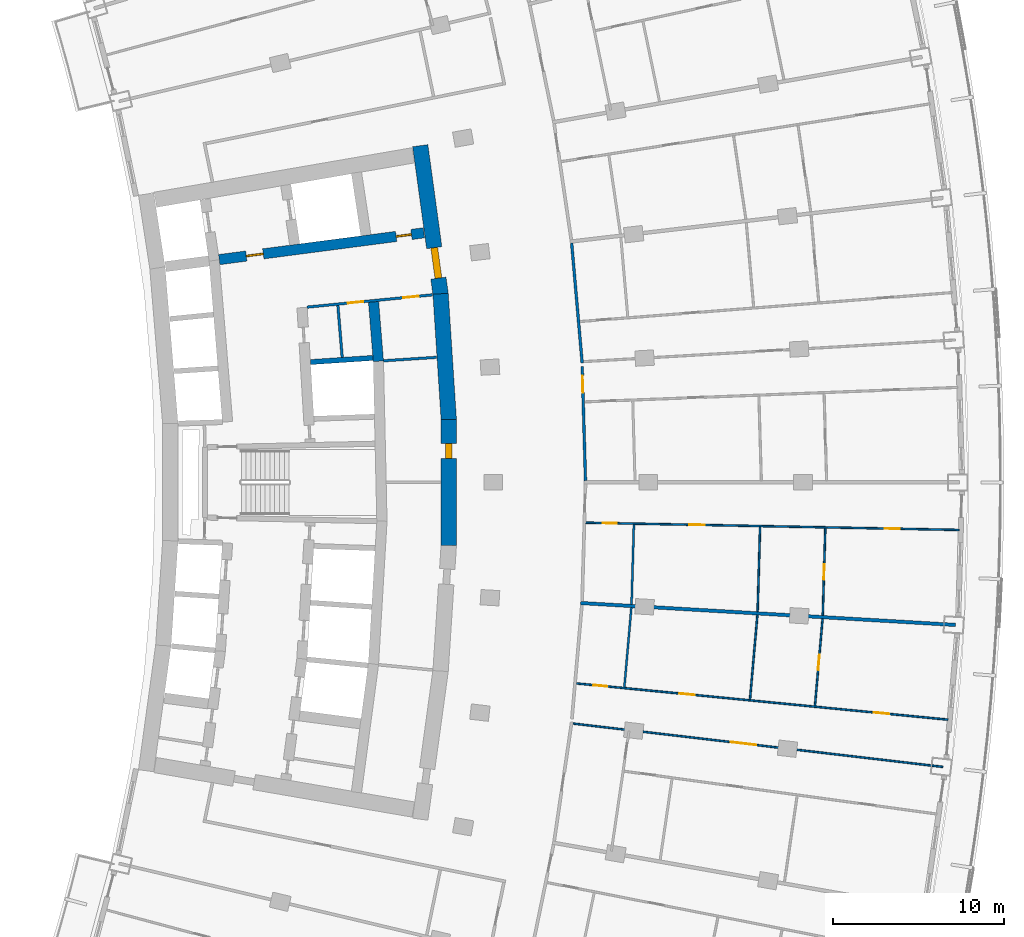
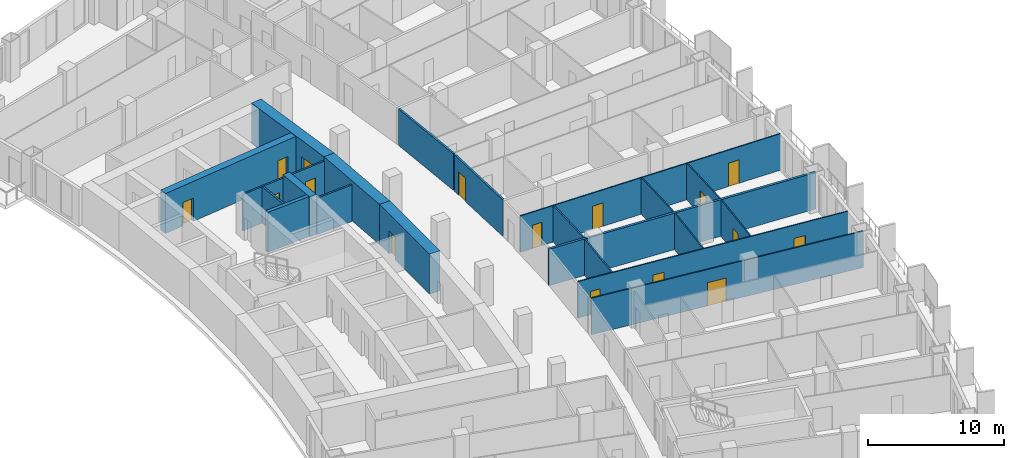
# One storey, part 17 of 25: 21 walls, 16 doors, 16 openings.
"""IFC4 building model written with IfcOpenShell, lengths in metres."""

import ifcopenshell
import ifcopenshell.guid

model = None  # the IFC model being written
_history = None  # IfcOwnerHistory: only IFC2X3 demands one
_inside = {}  # id of a spatial element -> (the spatial element, [elements in it])
_under = {}  # id of a project, library or spatial element -> (it, [spatial elements below it])
_declared = {}  # id of a project -> (the project, [libraries it declares])
_typed = {}  # id of a type object -> (the type object, [elements of that type])
_made_of = {}  # id of a material, layer set ... -> (it, [elements and type objects made of it])


def new_model(schema):
    """Start an empty IFC model of exactly this schema.

    Asked for "IFC4X3", IfcOpenShell would pick the latest addendum, in which some entities
    have other attributes; the version numbers below select the first issue.
    IFC2X3 requires an IfcOwnerHistory on every rooted entity: one is made here for all.
    """
    global model, _history
    if schema == "IFC4X3":
        model = ifcopenshell.file(schema_version=(4, 3, 0, 0))
    else:
        model = ifcopenshell.file(schema=schema)
    _inside.clear()
    _under.clear()
    _declared.clear()
    _typed.clear()
    _made_of.clear()
    _history = None
    if model.schema == "IFC2X3":
        org = make("IfcOrganization", Name="unknown")
        user = make(
            "IfcPersonAndOrganization",
            ThePerson=make("IfcPerson", FamilyName="unknown"),
            TheOrganization=org,
        )
        app = make(
            "IfcApplication",
            ApplicationDeveloper=org,
            Version="unknown",
            ApplicationFullName="unknown",
            ApplicationIdentifier="unknown",
        )
        _history = make(
            "IfcOwnerHistory",
            OwningUser=user,
            OwningApplication=app,
            ChangeAction="ADDED",
            CreationDate=0,
        )
    return model


def make(cls, **values):
    """One entity of the class cls with the attributes given. An attribute that is None is left unset."""
    return model.create_entity(
        cls, **{name: value for name, value in values.items() if value is not None}
    )


def rooted(cls, **values):
    """An entity with a GlobalId (a new one), such as an element, a storey or a relation."""
    return make(cls, GlobalId=ifcopenshell.guid.new(), OwnerHistory=_history, **values)


def si_unit(unit_type, name, prefix=None):
    """IfcSIUnit, for example si_unit("LENGTHUNIT", "METRE", prefix="MILLI")."""
    return make("IfcSIUnit", UnitType=unit_type, Prefix=prefix, Name=name)


def assignment(units):
    """IfcUnitAssignment: the units of a project."""
    return None if units is None else make("IfcUnitAssignment", Units=units)


def point(xyz):
    """IfcCartesianPoint."""
    return None if xyz is None else make("IfcCartesianPoint", Coordinates=xyz)


def direction(xyz):
    """IfcDirection."""
    return None if xyz is None else make("IfcDirection", DirectionRatios=xyz)


def frame(location, z_axis=None, x_axis=None):
    """IfcAxis2Placement3D, a coordinate frame: its origin and axes. An axis left out is left unset."""
    return make(
        "IfcAxis2Placement3D",
        Location=point(location),
        Axis=direction(z_axis),
        RefDirection=direction(x_axis),
    )


def frame_2d(location, x_axis=None):
    """IfcAxis2Placement2D, a coordinate frame in the plane: its origin and x axis."""
    return make(
        "IfcAxis2Placement2D", Location=point(location), RefDirection=direction(x_axis)
    )


def origin():
    """The frame at (0, 0, 0) with its axes left unset."""
    return frame((0.0, 0.0, 0.0))


def place(relative_to, where):
    """IfcLocalPlacement: puts the frame where relative to a parent placement (None: the world)."""
    return make(
        "IfcLocalPlacement", PlacementRelTo=relative_to, RelativePlacement=where
    )


def context(
    kind, dimensions, precision=None, world=None, true_north=None, identifier=None
):
    """IfcGeometricRepresentationContext, for example the 3D "Model" context."""
    return make(
        "IfcGeometricRepresentationContext",
        ContextIdentifier=identifier,
        ContextType=kind,
        CoordinateSpaceDimension=dimensions,
        Precision=precision,
        WorldCoordinateSystem=world,
        TrueNorth=true_north,
    )


def subcontext(parent, identifier, kind, view, scale=None):
    """IfcGeometricRepresentationSubContext, for example "Body" below "Model"."""
    return make(
        "IfcGeometricRepresentationSubContext",
        ContextIdentifier=identifier,
        ContextType=kind,
        ParentContext=parent,
        TargetScale=scale,
        TargetView=view,
    )


def project(units=None, contexts=None):
    """IfcProject with its units and contexts."""
    return rooted(
        "IfcProject",
        Name="project",
        RepresentationContexts=contexts,
        UnitsInContext=assignment(units),
    )


def spatial(cls, under=None, at=None, **own):
    """A site, building, storey or space (cls), placed at a placement, below another one or the project."""
    s = rooted(cls, ObjectPlacement=at, **own)
    if under is not None:
        _under.setdefault(under.id(), (under, []))[1].append(s)
    return s


def profile(cls, at=None, kind="AREA", **sizes):
    """A parametric profile (cls). Its sizes go by their IFC names, for example OverallWidth=200.0."""
    return make(cls, ProfileType=kind, Position=at, **sizes)


def rectangle(**sizes):
    """IfcRectangleProfileDef."""
    return profile("IfcRectangleProfileDef", **sizes)


def extrude(swept, where, along, depth):
    """IfcExtrudedAreaSolid: the profile swept, set in the frame where, extruded along a direction by depth."""
    return make(
        "IfcExtrudedAreaSolid",
        SweptArea=swept,
        Position=where,
        ExtrudedDirection=direction(along),
        Depth=depth,
    )


def shape(context_of_items, identifier, shape_type, items):
    """IfcShapeRepresentation: the items that make up one representation, for example the "Body"."""
    return make(
        "IfcShapeRepresentation",
        ContextOfItems=context_of_items,
        RepresentationIdentifier=identifier,
        RepresentationType=shape_type,
        Items=items,
    )


def material(Name=None, Category=None):
    """IfcMaterial."""
    return make("IfcMaterial", Name=Name, Category=Category)


def layer(
    of_material, thickness, ventilated=None, Name=None, Category=None, Priority=None
):
    """IfcMaterialLayer: one layer of a wall or slab, of a material (None: an air gap)."""
    return make(
        "IfcMaterialLayer",
        Material=of_material,
        LayerThickness=thickness,
        IsVentilated=ventilated,
        Name=Name,
        Category=Category,
        Priority=Priority,
    )


def layer_set(layers, Name=None):
    """IfcMaterialLayerSet."""
    return make("IfcMaterialLayerSet", MaterialLayers=layers, LayerSetName=Name)


def made_of(thing, what):
    """Note that an element or type object is made of a material, layer set ...; save() writes the relation."""
    if what is not None:
        _made_of.setdefault(what.id(), (what, []))[1].append(thing)
    return thing


def type_object(cls, material=None, **own):
    """A type object (cls), such as IfcWallType, which elements share."""
    return made_of(rooted(cls, **own), material)


def element(
    cls,
    number,
    at=None,
    inside=None,
    cuts=None,
    type_object=None,
    material=None,
    context=None,
    identifier="Body",
    shape_type=None,
    held_by="IfcProductDefinitionShape",
    body=None,
    shapes=None,
    **own,
):
    """One element of the class cls, such as IfcWall. Its Tag is "e" and its number.

    at: its placement. inside: the storey or other place that contains it. cuts: it is an
    opening in that element (IfcRelVoidsElement). A single representation is given by context,
    identifier, shape_type and body (its items); several are given by shapes. held_by: the class
    of the entity that holds the representations. save() writes the other relations.
    """
    e = rooted(cls, Tag="e%d" % number, ObjectPlacement=at, **own)
    if body is not None:
        shapes = [shape(context, identifier, shape_type, body)]
    if shapes is not None:
        e.Representation = make(held_by, Representations=shapes)
    if inside is not None:
        _inside.setdefault(inside.id(), (inside, []))[1].append(e)
    if cuts is not None:
        rooted(
            "IfcRelVoidsElement", RelatingBuildingElement=cuts, RelatedOpeningElement=e
        )
    if type_object is not None:
        _typed.setdefault(type_object.id(), (type_object, []))[1].append(e)
    return made_of(e, material)


def fill(opening, filler):
    """IfcRelFillsElement: the door or window that sits in an opening."""
    return rooted(
        "IfcRelFillsElement",
        RelatingOpeningElement=opening,
        RelatedBuildingElement=filler,
    )


def aggregate(whole, parts):
    """IfcRelAggregates: a whole, such as a stair, and the parts it consists of."""
    return rooted("IfcRelAggregates", RelatingObject=whole, RelatedObjects=parts)


def save(model, path):
    """Write the relations noted so far, then the file.

    IfcRelAggregates (storeys below a building ...), IfcRelContainedInSpatialStructure (elements
    in a storey), IfcRelDefinesByType, IfcRelAssociatesMaterial and IfcRelDeclares: one each for
    every whole, place, type object, material and project.
    """
    for whole, parts in _under.values():
        aggregate(whole, parts)
    for where, things in _inside.values():
        rooted(
            "IfcRelContainedInSpatialStructure",
            RelatedElements=things,
            RelatingStructure=where,
        )
    for kind, things in _typed.values():
        rooted("IfcRelDefinesByType", RelatedObjects=things, RelatingType=kind)
    for what, things in _made_of.values():
        rooted("IfcRelAssociatesMaterial", RelatedObjects=things, RelatingMaterial=what)
    for by, libraries in _declared.values():
        rooted("IfcRelDeclares", RelatingContext=by, RelatedDefinitions=libraries)
    model.write(path)


model = new_model("IFC4")

# Units and contexts
model_context = context("Model", 3, precision=1e-05, world=origin(), true_north=direction((0.0, 1.0)))
body_context = subcontext(model_context, "Body", "Model", "MODEL_VIEW")
ifc_project = project(units=[si_unit("LENGTHUNIT", "METRE"), si_unit("AREAUNIT", "SQUARE_METRE"), si_unit("VOLUMEUNIT", "CUBIC_METRE"), si_unit("PLANEANGLEUNIT", "RADIAN"), si_unit("MASSUNIT", "GRAM", prefix="KILO")], contexts=[model_context])

# Site, building, storey
site_placement = place(None, origin())
site = spatial("IfcSite", under=ifc_project, at=site_placement, CompositionType="ELEMENT")
building_placement = place(site_placement, origin())
building = spatial("IfcBuilding", under=site, at=building_placement, Name="Alderwake Tower", CompositionType="ELEMENT")
storey_placement = place(building_placement, frame((0.0, 0.0, 46.39990234375)))
storey = spatial("IfcBuildingStorey", under=building, at=storey_placement, Name="L10", CompositionType="ELEMENT", Elevation=46.39990234375)

# Walls
ifc_material_1 = material(Name="Gypsum shaft wall system, rated")
ifc_layer_1 = layer(ifc_material_1, 0.14990234375)
ifc_layer_set_1 = layer_set([ifc_layer_1], Name="Core room partition 150")
wall_type_1 = type_object("IfcWallType", Name="Core room partition 150", PredefinedType="PARTITIONING", material=ifc_layer_set_1)
wall_1_placement = place(storey_placement, frame((26.94970703125, 68.3203125, 0.0), z_axis=(0.0, 0.0, 1.0), x_axis=(-0.082463525817, 0.996594083321, 0.0)))
element("IfcWall", 1, at=wall_1_placement, inside=storey, type_object=wall_type_1, Name="CW/L10/PA+107_+70", PredefinedType="PARTITIONING", context=body_context, shape_type="SweptSolid", body=[
    extrude(rectangle(XDim=3.055419921875, YDim=0.14990234375, at=frame_2d((1.52783203125, 0.0))), origin(), (0.0, 0.0, 1.0), 3.280029296875),
])
wall_2_placement = place(storey_placement, frame((29.36865234375, 68.1220703125, 0.0), z_axis=(0.0, 0.0, 1.0), x_axis=(0.997885090452, 0.065002663433, 0.0)))
element("IfcWall", 2, at=wall_2_placement, inside=storey, type_object=wall_type_1, Name="CW/L10/PR+68_+128", PredefinedType="PARTITIONING", context=body_context, shape_type="SweptSolid", body=[
    extrude(rectangle(XDim=3.10986328125, YDim=0.14990234375, at=frame_2d((1.554931640625, 0.0))), origin(), (0.0, 0.0, 1.0), 3.280029296875),
])

# Wall, openings, doors
wall_3_placement = place(storey_placement, frame((32.233642578125, 71.982177734375, 0.0), z_axis=(0.0, 0.0, 1.0), x_axis=(-0.995245540971, -0.097397706226, 0.0)))
wall_3 = element("IfcWall", 3, at=wall_3_placement, inside=storey, type_object=wall_type_1, Name="CW/L10/PR+102_+86", PredefinedType="PARTITIONING", context=body_context, shape_type="SweptSolid", body=[
    extrude(rectangle(XDim=7.36962890625, YDim=0.14990234375, at=frame_2d((3.684814453125, 0.0))), origin(), (0.0, 0.0, 1.0), 3.280029296875),
])
opening_1_placement = place(wall_3_placement, frame((4.069580078125, 0.0, 0.0)))
opening_1 = element("IfcOpeningElement", 4, at=opening_1_placement, cuts=wall_3, Name="Opening C022", PredefinedType="OPENING", context=body_context, shape_type="SweptSolid", body=[
    extrude(rectangle(XDim=0.89990234375, YDim=2.10009765625, at=frame_2d((0.449951171875, 1.050048828125))), frame((0.0, 0.0849609375, 0.0), z_axis=(0.0, -1.0, 0.0), x_axis=(1.0, 0.0, 0.0)), (0.0, 0.0, 1.0), 0.169921875),
])
opening_2_placement = place(wall_3_placement, frame((0.819580078125, 0.0, 0.0)))
opening_2 = element("IfcOpeningElement", 5, at=opening_2_placement, cuts=wall_3, Name="Opening C036", PredefinedType="OPENING", context=body_context, shape_type="SweptSolid", body=[
    extrude(rectangle(XDim=0.89990234375, YDim=2.10009765625, at=frame_2d((0.449951171875, 1.050048828125))), frame((0.0, 0.0849609375, 0.0), z_axis=(0.0, -1.0, 0.0), x_axis=(1.0, 0.0, 0.0)), (0.0, 0.0, 1.0), 0.169921875),
])
ifc_material_2 = material(Name="Painted steel leaf", Category="steel")
door_type_1 = type_object("IfcDoorType", Name="Core room door 900", OperationType="SINGLE_SWING_LEFT", PredefinedType="DOOR", material=ifc_material_2)
door_1_placement = place(opening_1_placement, origin())
door_1 = element("IfcDoor", 6, at=door_1_placement, inside=storey, type_object=door_type_1, Name="Room door", OperationType="SINGLE_SWING_RIGHT", OverallHeight=2.10009765625, OverallWidth=0.89990234375, PredefinedType="DOOR", context=body_context, shape_type="SweptSolid", body=[
    extrude(rectangle(XDim=0.89990234375, YDim=2.10009765625, at=frame_2d((0.449951171875, 1.050048828125))), frame((0.0, 0.02490234375, 0.0), z_axis=(0.0, -1.0, 0.0), x_axis=(1.0, 0.0, 0.0)), (0.0, 0.0, 1.0), 0.050048828125),
])
fill(opening_1, door_1)
door_2_placement = place(opening_2_placement, origin())
door_2 = element("IfcDoor", 7, at=door_2_placement, inside=storey, type_object=door_type_1, Name="Room door", OperationType="SINGLE_SWING_RIGHT", OverallHeight=2.10009765625, OverallWidth=0.89990234375, PredefinedType="DOOR", context=body_context, shape_type="SweptSolid", body=[
    extrude(rectangle(XDim=0.89990234375, YDim=2.10009765625, at=frame_2d((0.449951171875, 1.050048828125))), frame((0.0, 0.02490234375, 0.0), z_axis=(0.0, -1.0, 0.0), x_axis=(1.0, 0.0, 0.0)), (0.0, 0.0, 1.0), 0.050048828125),
])
fill(opening_2, door_2)

# Wall, opening, door
ifc_material_3 = material(Name="Concrete C70/85", Category="concrete")
ifc_layer_2 = layer(ifc_material_3, 0.89990234375)
ifc_layer_set_2 = layer_set([ifc_layer_2], Name="Core wall outer 900 C70-85")
wall_type_2 = type_object("IfcWallType", Name="Core wall outer 900 C70-85", PredefinedType="SHEAR", material=ifc_layer_set_2)
wall_4_placement = place(storey_placement, frame((33.190185546875, 64.69677734375, 0.0), z_axis=(0.0, 0.0, 1.0), x_axis=(0.0, -1.0, 0.0)))
wall_4 = element("IfcWall", 8, at=wall_4_placement, inside=storey, type_object=wall_type_2, Name="Core wall CW.013", PredefinedType="SHEAR", context=body_context, shape_type="SweptSolid", body=[
    extrude(rectangle(XDim=7.3935546875, YDim=0.89990234375, at=frame_2d((3.69677734375, 0.0))), origin(), (0.0, 0.0, 1.0), 3.60009765625),
])
opening_3_placement = place(wall_4_placement, frame((1.405517578125, 0.0, 0.0)))
opening_3 = element("IfcOpeningElement", 9, at=opening_3_placement, cuts=wall_4, Name="Opening C033", PredefinedType="OPENING", context=body_context, shape_type="SweptSolid", body=[
    extrude(rectangle(XDim=0.89990234375, YDim=2.10009765625, at=frame_2d((0.449951171875, 1.050048828125))), frame((0.0, 0.4599609375, 0.0), z_axis=(0.0, -1.0, 0.0), x_axis=(1.0, 0.0, 0.0)), (0.0, 0.0, 1.0), 0.919921875),
])
door_3_placement = place(opening_3_placement, origin())
door_3 = element("IfcDoor", 10, at=door_3_placement, inside=storey, type_object=door_type_1, Name="Room door", OperationType="SINGLE_SWING_LEFT", OverallHeight=2.10009765625, OverallWidth=0.89990234375, PredefinedType="DOOR", context=body_context, shape_type="SweptSolid", body=[
    extrude(rectangle(XDim=0.89990234375, YDim=2.10009765625, at=frame_2d((0.449951171875, 1.050048828125))), frame((0.0, 0.199951171875, 0.0), z_axis=(0.0, -1.0, 0.0), x_axis=(1.0, 0.0, 0.0)), (0.0, 0.0, 1.0), 0.39990234375),
])
fill(opening_3, door_3)

# Wall
wall_5_placement = place(storey_placement, frame((33.191162109375, 64.66650390625, 0.0), z_axis=(0.0, 0.0, 1.0), x_axis=(-0.064976219143, 0.997886812693, 0.0)))
element("IfcWall", 11, at=wall_5_placement, inside=storey, type_object=wall_type_2, Name="Core wall CW.010", PredefinedType="SHEAR", context=body_context, shape_type="SweptSolid", body=[
    extrude(rectangle(XDim=7.39453125, YDim=0.89990234375, at=frame_2d((3.697265625, 0.0))), origin(), (0.0, 0.0, 1.0), 3.60009765625),
])

# Wall, opening, door
wall_6_placement = place(storey_placement, frame((31.520263671875, 80.7177734375, 0.0), z_axis=(0.0, 0.0, 1.0), x_axis=(0.135844728876, -0.990730139663, 0.0)))
wall_6 = element("IfcWall", 12, at=wall_6_placement, inside=storey, type_object=wall_type_2, Name="Core wall CW.009", PredefinedType="SHEAR", context=body_context, shape_type="SweptSolid", body=[
    extrude(rectangle(XDim=8.78662109375, YDim=0.89990234375, at=frame_2d((4.393310546875, 0.0))), origin(), (0.0, 0.0, 1.0), 3.60009765625),
])
opening_4_placement = place(wall_6_placement, frame((6.02978515625, 0.0, 0.0)))
opening_4 = element("IfcOpeningElement", 13, at=opening_4_placement, cuts=wall_6, Name="Opening C001", PredefinedType="OPENING", context=body_context, shape_type="SweptSolid", body=[
    extrude(rectangle(XDim=1.800048828125, YDim=2.10009765625, at=frame_2d((0.89990234375, 1.050048828125))), frame((0.0, 0.4599609375, 0.0), z_axis=(0.0, -1.0, 0.0), x_axis=(1.0, 0.0, 0.0)), (0.0, 0.0, 1.0), 0.919921875),
])
ifc_material_4 = material(Name="Steel-framed fire door leaves", Category="steel")
door_type_2 = type_object("IfcDoorType", Name="Core double door 1800 fire-rated", OperationType="DOUBLE_DOOR_SINGLE_SWING", PredefinedType="DOOR", material=ifc_material_4)
door_4_placement = place(opening_4_placement, origin())
door_4 = element("IfcDoor", 14, at=door_4_placement, inside=storey, type_object=door_type_2, Name="Lobby double door", OperationType="DOUBLE_DOOR_SINGLE_SWING", OverallHeight=2.10009765625, OverallWidth=1.800048828125, PredefinedType="DOOR", context=body_context, shape_type="SweptSolid", body=[
    extrude(rectangle(XDim=1.800048828125, YDim=2.10009765625, at=frame_2d((0.89990234375, 1.050048828125))), frame((0.0, 0.199951171875, 0.0), z_axis=(0.0, -1.0, 0.0), x_axis=(1.0, 0.0, 0.0)), (0.0, 0.0, 1.0), 0.39990234375),
])
fill(opening_4, door_4)

# Walls
ifc_material_5 = material(Name="Concrete C70/85", Category="concrete")
ifc_layer_3 = layer(ifc_material_5, 0.300048828125)
ifc_layer_set_3 = layer_set([ifc_layer_3], Name="Core wall shaft 300 C70-85")
wall_type_3 = type_object("IfcWallType", Name="Core wall shaft 300 C70-85", PredefinedType="SHEAR", material=ifc_layer_set_3)
wall_7_placement = place(storey_placement, frame((25.09228515625, 68.04541015625, 0.0), z_axis=(0.0, 0.0, 1.0), x_axis=(0.997760946222, 0.066881194621, 0.0)))
element("IfcWall", 15, at=wall_7_placement, inside=storey, type_object=wall_type_3, Name="Core wall CW.063", PredefinedType="SHEAR", context=body_context, shape_type="SweptSolid", body=[
    extrude(rectangle(XDim=3.668701171875, YDim=0.300048828125, at=frame_2d((1.83447265625, 0.0))), origin(), (0.0, 0.0, 1.0), 3.60009765625),
])
ifc_material_6 = material(Name="Concrete C70/85", Category="concrete")
ifc_layer_4 = layer(ifc_material_6, 0.60009765625)
ifc_layer_set_4 = layer_set([ifc_layer_4], Name="Core wall spine 600 C70-85")
wall_type_4 = type_object("IfcWallType", Name="Core wall spine 600 C70-85", PredefinedType="SHEAR", material=ifc_layer_set_4)
wall_8_placement = place(storey_placement, frame((29.069580078125, 68.09326171875, 0.0), z_axis=(0.0, 0.0, 1.0), x_axis=(-0.080849700234, 0.996726304445, 0.0)))
element("IfcWall", 16, at=wall_8_placement, inside=storey, type_object=wall_type_4, Name="Core wall CW.003", PredefinedType="SHEAR", context=body_context, shape_type="SweptSolid", body=[
    extrude(rectangle(XDim=3.48779296875, YDim=0.60009765625, at=frame_2d((1.743896484375, 0.0))), origin(), (0.0, 0.0, 1.0), 3.60009765625),
])

# Wall, openings, doors
wall_9_placement = place(storey_placement, frame((31.735595703125, 75.6142578125, 0.0), z_axis=(0.0, 0.0, 1.0), x_axis=(-0.991553829991, -0.129695806526, 0.0)))
wall_9 = element("IfcWall", 17, at=wall_9_placement, inside=storey, type_object=wall_type_4, Name="Core wall CW.052", PredefinedType="SHEAR", context=body_context, shape_type="SweptSolid", body=[
    extrude(rectangle(XDim=12.0869140625, YDim=0.60009765625, at=frame_2d((6.04345703125, 0.0))), origin(), (0.0, 0.0, 1.0), 3.60009765625),
])
opening_5_placement = place(wall_9_placement, frame((9.4873046875, 0.0, 0.0)))
opening_5 = element("IfcOpeningElement", 18, at=opening_5_placement, cuts=wall_9, Name="Opening C002", PredefinedType="OPENING", context=body_context, shape_type="SweptSolid", body=[
    extrude(rectangle(XDim=1.0, YDim=2.10009765625, at=frame_2d((0.5, 1.050048828125))), frame((0.0, 0.31005859375, 0.0), z_axis=(0.0, -1.0, 0.0), x_axis=(1.0, 0.0, 0.0)), (0.0, 0.0, 1.0), 0.6201171875),
])
opening_6_placement = place(wall_9_placement, frame((0.7373046875, 0.0, 0.0)))
opening_6 = element("IfcOpeningElement", 19, at=opening_6_placement, cuts=wall_9, Name="Opening C020", PredefinedType="OPENING", context=body_context, shape_type="SweptSolid", body=[
    extrude(rectangle(XDim=0.89990234375, YDim=2.10009765625, at=frame_2d((0.449951171875, 1.050048828125))), frame((0.0, 0.31005859375, 0.0), z_axis=(0.0, -1.0, 0.0), x_axis=(1.0, 0.0, 0.0)), (0.0, 0.0, 1.0), 0.6201171875),
])
door_5_placement = place(opening_6_placement, origin())
door_5 = element("IfcDoor", 20, at=door_5_placement, inside=storey, type_object=door_type_1, Name="Room door", OperationType="SINGLE_SWING_LEFT", OverallHeight=2.10009765625, OverallWidth=0.89990234375, PredefinedType="DOOR", context=body_context, shape_type="SweptSolid", body=[
    extrude(rectangle(XDim=0.89990234375, YDim=2.10009765625, at=frame_2d((0.449951171875, 1.050048828125))), frame((0.0, 0.050048828125, 0.0), z_axis=(0.0, -1.0, 0.0), x_axis=(1.0, 0.0, 0.0)), (0.0, 0.0, 1.0), 0.10009765625),
])
fill(opening_6, door_5)
ifc_material_7 = material(Name="Steel-framed fire door leaf", Category="steel")
door_type_3 = type_object("IfcDoorType", Name="Firefighting lobby door 1000 fire-rated", OperationType="SINGLE_SWING_LEFT", PredefinedType="DOOR", material=ifc_material_7)
door_6_placement = place(opening_5_placement, origin())
door_6 = element("IfcDoor", 21, at=door_6_placement, inside=storey, type_object=door_type_3, Name="Firefighting lobby door", OperationType="SINGLE_SWING_RIGHT", OverallHeight=2.10009765625, OverallWidth=1.0, PredefinedType="DOOR", context=body_context, shape_type="SweptSolid", body=[
    extrude(rectangle(XDim=1.0, YDim=2.10009765625, at=frame_2d((0.5, 1.050048828125))), frame((0.0, 0.050048828125, 0.0), z_axis=(0.0, -1.0, 0.0), x_axis=(1.0, 0.0, 0.0)), (0.0, 0.0, 1.0), 0.10009765625),
])
fill(opening_5, door_6)

# Wall
ifc_material_8 = material(Name="Gypsum board on metal studs, rated")
ifc_layer_5 = layer(ifc_material_8, 0.159912109375)
ifc_layer_set_5 = layer_set([ifc_layer_5], Name="Corridor wall 160")
wall_type_5 = type_object("IfcWallType", Name="Corridor wall 160", PredefinedType="PARTITIONING", material=ifc_layer_set_5)
wall_10_placement = place(storey_placement, frame((41.001953125, 67.9873046875, 0.0), z_axis=(0.0, 0.0, 1.0), x_axis=(-0.087430787456, 0.996170596537, 0.0)))
element("IfcWall", 22, at=wall_10_placement, inside=storey, type_object=wall_type_5, Name="WL/L10/W38", PredefinedType="PARTITIONING", context=body_context, shape_type="SweptSolid", body=[
    extrude(rectangle(XDim=7.048095703125, YDim=0.159912109375, at=frame_2d((3.52392578125, 0.0))), origin(), (0.0, 0.0, 1.0), 3.280029296875),
])

# Wall, opening, door
wall_11_placement = place(storey_placement, frame((41.002685546875, 67.80029296875, 0.0), z_axis=(0.0, 0.0, 1.0), x_axis=(0.0288425569, -0.999583966914, 0.0)))
wall_11 = element("IfcWall", 23, at=wall_11_placement, inside=storey, type_object=wall_type_5, Name="WL/L10/W39", PredefinedType="PARTITIONING", context=body_context, shape_type="SweptSolid", body=[
    extrude(rectangle(XDim=6.703857421875, YDim=0.159912109375, at=frame_2d((3.35205078125, 0.0))), origin(), (0.0, 0.0, 1.0), 3.280029296875),
])
opening_7_placement = place(wall_11_placement, frame((0.54541015625, 0.0, 0.0)))
opening_7 = element("IfcOpeningElement", 24, at=opening_7_placement, cuts=wall_11, Name="Opening R02-U08.3", PredefinedType="OPENING", context=body_context, shape_type="SweptSolid", body=[
    extrude(rectangle(XDim=1.0, YDim=2.10009765625, at=frame_2d((0.5, 1.050048828125))), frame((0.0, 0.08984375, 0.0), z_axis=(0.0, -1.0, 0.0), x_axis=(1.0, 0.0, 0.0)), (0.0, 0.0, 1.0), 0.179931640625),
])
ifc_material_9 = material(Name="Solid timber leaf in steel frame", Category="steel")
door_type_4 = type_object("IfcDoorType", Name="Flat entrance door 1000 fire-rated", OperationType="SINGLE_SWING_LEFT", PredefinedType="DOOR", material=ifc_material_9)
door_7_placement = place(opening_7_placement, origin())
door_7 = element("IfcDoor", 25, at=door_7_placement, inside=storey, type_object=door_type_4, Name="DR/L10/U08.3", OperationType="SINGLE_SWING_LEFT", OverallHeight=2.10009765625, OverallWidth=1.0, PredefinedType="DOOR", context=body_context, shape_type="SweptSolid", body=[
    extrude(rectangle(XDim=1.0, YDim=2.10009765625, at=frame_2d((0.5, 1.050048828125))), frame((0.0, 0.02490234375, 0.0), z_axis=(0.0, -1.0, 0.0), x_axis=(1.0, 0.0, 0.0)), (0.0, 0.0, 1.0), 0.050048828125),
])
fill(opening_7, door_7)

# Wall
ifc_material_10 = material(Name="Dense block masonry wall", Category="masonry")
ifc_layer_6 = layer(ifc_material_10, 0.199951171875)
ifc_layer_set_6 = layer_set([ifc_layer_6], Name="Party wall 200")
wall_type_6 = type_object("IfcWallType", Name="Party wall 200", PredefinedType="SOLIDWALL", material=ifc_layer_set_6)
wall_12_placement = place(storey_placement, frame((62.85595703125, 52.656005859375, 0.0), z_axis=(0.0, 0.0, 1.0), x_axis=(-0.998295452379, 0.058362571568, 0.0)))
element("IfcWall", 26, at=wall_12_placement, inside=storey, type_object=wall_type_6, Name="WL/L10/W10", PredefinedType="SOLIDWALL", context=body_context, shape_type="SweptSolid", body=[
    extrude(rectangle(XDim=21.978271484375, YDim=0.199951171875, at=frame_2d((10.9892578125, 0.0))), origin(), (0.0, 0.0, 1.0), 3.280029296875),
])

# Wall, opening, door
ifc_material_11 = material(Name="Gypsum board on metal studs")
ifc_layer_7 = layer(ifc_material_11, 0.10009765625)
ifc_layer_set_7 = layer_set([ifc_layer_7], Name="Unit partition 100")
wall_type_7 = type_object("IfcWallType", Name="Unit partition 100", PredefinedType="PARTITIONING", material=ifc_layer_set_7)
wall_13_placement = place(storey_placement, frame((40.45654296875, 46.8837890625, 0.0), z_axis=(0.0, 0.0, 1.0), x_axis=(0.993196735589, -0.116448462487, 0.0)))
wall_13 = element("IfcWall", 27, at=wall_13_placement, inside=storey, type_object=wall_type_7, Name="WL/L10/W68", PredefinedType="PARTITIONING", context=body_context, shape_type="SweptSolid", body=[
    extrude(rectangle(XDim=21.81884765625, YDim=0.10009765625, at=frame_2d((10.909423828125, 0.0))), origin(), (0.0, 0.0, 1.0), 3.280029296875),
])
opening_8_placement = place(wall_13_placement, frame((9.304931640625, 0.0, 0.0)))
opening_8 = element("IfcOpeningElement", 28, at=opening_8_placement, cuts=wall_13, Name="Opening R02-U06.10", PredefinedType="OPENING", context=body_context, shape_type="SweptSolid", body=[
    extrude(rectangle(XDim=1.5, YDim=2.10009765625, at=frame_2d((0.75, 1.050048828125))), frame((0.0, 0.06005859375, 0.0), z_axis=(0.0, -1.0, 0.0), x_axis=(1.0, 0.0, 0.0)), (0.0, 0.0, 1.0), 0.1201171875),
])
ifc_material_12 = material(Name="Painted timber leaves", Category="wood")
door_type_5 = type_object("IfcDoorType", Name="Double leaf door 1500", OperationType="DOUBLE_DOOR_SINGLE_SWING", PredefinedType="DOOR", material=ifc_material_12)
door_8_placement = place(opening_8_placement, origin())
door_8 = element("IfcDoor", 29, at=door_8_placement, inside=storey, type_object=door_type_5, Name="DR/L10/U06.10", OperationType="DOUBLE_DOOR_SINGLE_SWING", OverallHeight=2.10009765625, OverallWidth=1.5, PredefinedType="DOOR", context=body_context, shape_type="SweptSolid", body=[
    extrude(rectangle(XDim=1.5, YDim=2.10009765625, at=frame_2d((0.75, 1.050048828125))), frame((0.0, 0.02490234375, 0.0), z_axis=(0.0, -1.0, 0.0), x_axis=(1.0, 0.0, 0.0)), (0.0, 0.0, 1.0), 0.050048828125),
])
fill(opening_8, door_8)

# Wall, openings, doors
wall_14_placement = place(storey_placement, frame((40.66064453125, 49.231201171875, 0.0), z_axis=(0.0, 0.0, 1.0), x_axis=(0.995277449828, -0.097071096952, 0.0)))
wall_14 = element("IfcWall", 30, at=wall_14_placement, inside=storey, type_object=wall_type_7, Name="WL/L10/W69", PredefinedType="PARTITIONING", context=body_context, shape_type="SweptSolid", body=[
    extrude(rectangle(XDim=21.863525390625, YDim=0.10009765625, at=frame_2d((10.931640625, 0.0))), origin(), (0.0, 0.0, 1.0), 3.280029296875),
])
opening_9_placement = place(wall_14_placement, frame((6.065673828125, 0.0, 0.0)))
opening_9 = element("IfcOpeningElement", 31, at=opening_9_placement, cuts=wall_14, Name="Opening R02-U06.6", PredefinedType="OPENING", context=body_context, shape_type="SweptSolid", body=[
    extrude(rectangle(XDim=0.89990234375, YDim=2.10009765625, at=frame_2d((0.449951171875, 1.050048828125))), frame((0.0, 0.06005859375, 0.0), z_axis=(0.0, -1.0, 0.0), x_axis=(1.0, 0.0, 0.0)), (0.0, 0.0, 1.0), 0.1201171875),
])
opening_10_placement = place(wall_14_placement, frame((1.010009765625, 0.0, 0.0)))
opening_10 = element("IfcOpeningElement", 32, at=opening_10_placement, cuts=wall_14, Name="Opening R02-U06.7", PredefinedType="OPENING", context=body_context, shape_type="SweptSolid", body=[
    extrude(rectangle(XDim=0.800048828125, YDim=2.10009765625, at=frame_2d((0.39990234375, 1.050048828125))), frame((0.0, 0.06005859375, 0.0), z_axis=(0.0, -1.0, 0.0), x_axis=(1.0, 0.0, 0.0)), (0.0, 0.0, 1.0), 0.1201171875),
])
opening_11_placement = place(wall_14_placement, frame((17.497802734375, 0.0, 0.0)))
opening_11 = element("IfcOpeningElement", 33, at=opening_11_placement, cuts=wall_14, Name="Opening R02-U06.8", PredefinedType="OPENING", context=body_context, shape_type="SweptSolid", body=[
    extrude(rectangle(XDim=0.89990234375, YDim=2.10009765625, at=frame_2d((0.449951171875, 1.050048828125))), frame((0.0, 0.06005859375, 0.0), z_axis=(0.0, -1.0, 0.0), x_axis=(1.0, 0.0, 0.0)), (0.0, 0.0, 1.0), 0.1201171875),
])
ifc_material_13 = material(Name="Painted timber leaf", Category="wood")
door_type_6 = type_object("IfcDoorType", Name="Bathroom door 800", OperationType="SINGLE_SWING_LEFT", PredefinedType="DOOR", material=ifc_material_13)
door_9_placement = place(opening_10_placement, origin())
door_9 = element("IfcDoor", 34, at=door_9_placement, inside=storey, type_object=door_type_6, Name="DR/L10/U06.7", OperationType="SINGLE_SWING_LEFT", OverallHeight=2.10009765625, OverallWidth=0.800048828125, PredefinedType="DOOR", context=body_context, shape_type="SweptSolid", body=[
    extrude(rectangle(XDim=0.800048828125, YDim=2.10009765625, at=frame_2d((0.39990234375, 1.050048828125))), frame((0.0, 0.02490234375, 0.0), z_axis=(0.0, -1.0, 0.0), x_axis=(1.0, 0.0, 0.0)), (0.0, 0.0, 1.0), 0.050048828125),
])
fill(opening_10, door_9)
ifc_material_14 = material(Name="Painted timber leaf", Category="wood")
door_type_7 = type_object("IfcDoorType", Name="Room door 900", OperationType="SINGLE_SWING_LEFT", PredefinedType="DOOR", material=ifc_material_14)
door_10_placement = place(opening_9_placement, origin())
door_10 = element("IfcDoor", 35, at=door_10_placement, inside=storey, type_object=door_type_7, Name="DR/L10/U06.6", OperationType="SINGLE_SWING_LEFT", OverallHeight=2.10009765625, OverallWidth=0.89990234375, PredefinedType="DOOR", context=body_context, shape_type="SweptSolid", body=[
    extrude(rectangle(XDim=0.89990234375, YDim=2.10009765625, at=frame_2d((0.449951171875, 1.050048828125))), frame((0.0, 0.02490234375, 0.0), z_axis=(0.0, -1.0, 0.0), x_axis=(1.0, 0.0, 0.0)), (0.0, 0.0, 1.0), 0.050048828125),
])
fill(opening_9, door_10)
door_11_placement = place(opening_11_placement, origin())
door_11 = element("IfcDoor", 36, at=door_11_placement, inside=storey, type_object=door_type_7, Name="DR/L10/U06.8", OperationType="SINGLE_SWING_LEFT", OverallHeight=2.10009765625, OverallWidth=0.89990234375, PredefinedType="DOOR", context=body_context, shape_type="SweptSolid", body=[
    extrude(rectangle(XDim=0.89990234375, YDim=2.10009765625, at=frame_2d((0.449951171875, 1.050048828125))), frame((0.0, 0.02490234375, 0.0), z_axis=(0.0, -1.0, 0.0), x_axis=(1.0, 0.0, 0.0)), (0.0, 0.0, 1.0), 0.050048828125),
])
fill(opening_11, door_11)

wall_15_placement = place(storey_placement, frame((63.069091796875, 58.218017578125, 0.0), z_axis=(0.0, 0.0, 1.0), x_axis=(-0.999811651936, 0.019407747262, 0.0)))
wall_15 = element("IfcWall", 37, at=wall_15_placement, inside=storey, type_object=wall_type_7, Name="WL/L10/W72", PredefinedType="PARTITIONING", context=body_context, shape_type="SweptSolid", body=[
    extrude(rectangle(XDim=21.86328125, YDim=0.10009765625, at=frame_2d((10.931640625, 0.0))), origin(), (0.0, 0.0, 1.0), 3.280029296875),
])
opening_12_placement = place(wall_15_placement, frame((14.897216796875, 0.0, 0.0)))
opening_12 = element("IfcOpeningElement", 38, at=opening_12_placement, cuts=wall_15, Name="Opening R02-U07.1", PredefinedType="OPENING", context=body_context, shape_type="SweptSolid", body=[
    extrude(rectangle(XDim=0.89990234375, YDim=2.10009765625, at=frame_2d((0.449951171875, 1.050048828125))), frame((0.0, 0.06005859375, 0.0), z_axis=(0.0, -1.0, 0.0), x_axis=(1.0, 0.0, 0.0)), (0.0, 0.0, 1.0), 0.1201171875),
])
opening_13_placement = place(wall_15_placement, frame((20.052978515625, 0.0, 0.0)))
opening_13 = element("IfcOpeningElement", 39, at=opening_13_placement, cuts=wall_15, Name="Opening R02-U07.4", PredefinedType="OPENING", context=body_context, shape_type="SweptSolid", body=[
    extrude(rectangle(XDim=0.800048828125, YDim=2.10009765625, at=frame_2d((0.39990234375, 1.050048828125))), frame((0.0, 0.06005859375, 0.0), z_axis=(0.0, -1.0, 0.0), x_axis=(1.0, 0.0, 0.0)), (0.0, 0.0, 1.0), 0.1201171875),
])
opening_14_placement = place(wall_15_placement, frame((3.46533203125, 0.0, 0.0)))
opening_14 = element("IfcOpeningElement", 40, at=opening_14_placement, cuts=wall_15, Name="Opening R02-U07.5", PredefinedType="OPENING", context=body_context, shape_type="SweptSolid", body=[
    extrude(rectangle(XDim=0.89990234375, YDim=2.10009765625, at=frame_2d((0.449951171875, 1.050048828125))), frame((0.0, 0.06005859375, 0.0), z_axis=(0.0, -1.0, 0.0), x_axis=(1.0, 0.0, 0.0)), (0.0, 0.0, 1.0), 0.1201171875),
])
door_12_placement = place(opening_13_placement, origin())
door_12 = element("IfcDoor", 41, at=door_12_placement, inside=storey, type_object=door_type_6, Name="DR/L10/U07.4", OperationType="SINGLE_SWING_LEFT", OverallHeight=2.10009765625, OverallWidth=0.800048828125, PredefinedType="DOOR", context=body_context, shape_type="SweptSolid", body=[
    extrude(rectangle(XDim=0.800048828125, YDim=2.10009765625, at=frame_2d((0.39990234375, 1.050048828125))), frame((0.0, 0.02490234375, 0.0), z_axis=(0.0, -1.0, 0.0), x_axis=(1.0, 0.0, 0.0)), (0.0, 0.0, 1.0), 0.050048828125),
])
fill(opening_13, door_12)
door_13_placement = place(opening_12_placement, origin())
door_13 = element("IfcDoor", 42, at=door_13_placement, inside=storey, type_object=door_type_7, Name="DR/L10/U07.1", OperationType="SINGLE_SWING_LEFT", OverallHeight=2.10009765625, OverallWidth=0.89990234375, PredefinedType="DOOR", context=body_context, shape_type="SweptSolid", body=[
    extrude(rectangle(XDim=0.89990234375, YDim=2.10009765625, at=frame_2d((0.449951171875, 1.050048828125))), frame((0.0, 0.02490234375, 0.0), z_axis=(0.0, -1.0, 0.0), x_axis=(1.0, 0.0, 0.0)), (0.0, 0.0, 1.0), 0.050048828125),
])
fill(opening_12, door_13)
door_14_placement = place(opening_14_placement, origin())
door_14 = element("IfcDoor", 43, at=door_14_placement, inside=storey, type_object=door_type_7, Name="DR/L10/U07.5", OperationType="SINGLE_SWING_LEFT", OverallHeight=2.10009765625, OverallWidth=0.89990234375, PredefinedType="DOOR", context=body_context, shape_type="SweptSolid", body=[
    extrude(rectangle(XDim=0.89990234375, YDim=2.10009765625, at=frame_2d((0.449951171875, 1.050048828125))), frame((0.0, 0.02490234375, 0.0), z_axis=(0.0, -1.0, 0.0), x_axis=(1.0, 0.0, 0.0)), (0.0, 0.0, 1.0), 0.050048828125),
])
fill(opening_14, door_14)

# Walls
wall_16_placement = place(storey_placement, frame((50.827392578125, 48.289794921875, 0.0), z_axis=(0.0, 0.0, 1.0), x_axis=(0.087404299635, 0.996172920936, 0.0)))
element("IfcWall", 44, at=wall_16_placement, inside=storey, type_object=wall_type_7, Name="WL/L10/W80", PredefinedType="PARTITIONING", context=body_context, shape_type="SweptSolid", body=[
    extrude(rectangle(XDim=4.963623046875, YDim=0.10009765625, at=frame_2d((2.48193359375, 0.0))), origin(), (0.0, 0.0, 1.0), 3.280029296875),
])
wall_17_placement = place(storey_placement, frame((51.27294921875, 53.43408203125, 0.0), z_axis=(0.0, 0.0, 1.0), x_axis=(0.029312335146, 0.999570301184, 0.0)))
element("IfcWall", 45, at=wall_17_placement, inside=storey, type_object=wall_type_7, Name="WL/L10/W83", PredefinedType="PARTITIONING", context=body_context, shape_type="SweptSolid", body=[
    extrude(rectangle(XDim=4.964111328125, YDim=0.10009765625, at=frame_2d((2.48193359375, 0.0))), origin(), (0.0, 0.0, 1.0), 3.280029296875),
])

# Wall, opening, door
wall_18_placement = place(storey_placement, frame((54.63134765625, 47.9208984375, 0.0), z_axis=(0.0, 0.0, 1.0), x_axis=(0.087274799562, 0.996184274801, 0.0)))
wall_18 = element("IfcWall", 46, at=wall_18_placement, inside=storey, type_object=wall_type_7, Name="WL/L10/W89", PredefinedType="PARTITIONING", context=body_context, shape_type="SweptSolid", body=[
    extrude(rectangle(XDim=5.11083984375, YDim=0.10009765625, at=frame_2d((2.555419921875, 0.0))), origin(), (0.0, 0.0, 1.0), 3.280029296875),
])
opening_15_placement = place(wall_18_placement, frame((2.10546875, 0.0, 0.0)))
opening_15 = element("IfcOpeningElement", 47, at=opening_15_placement, cuts=wall_18, Name="Opening R02-U06.9", PredefinedType="OPENING", context=body_context, shape_type="SweptSolid", body=[
    extrude(rectangle(XDim=0.89990234375, YDim=2.10009765625, at=frame_2d((0.449951171875, 1.050048828125))), frame((0.0, 0.06005859375, 0.0), z_axis=(0.0, -1.0, 0.0), x_axis=(1.0, 0.0, 0.0)), (0.0, 0.0, 1.0), 0.1201171875),
])
door_15_placement = place(opening_15_placement, origin())
door_15 = element("IfcDoor", 48, at=door_15_placement, inside=storey, type_object=door_type_7, Name="DR/L10/U06.9", OperationType="SINGLE_SWING_LEFT", OverallHeight=2.10009765625, OverallWidth=0.89990234375, PredefinedType="DOOR", context=body_context, shape_type="SweptSolid", body=[
    extrude(rectangle(XDim=0.89990234375, YDim=2.10009765625, at=frame_2d((0.449951171875, 1.050048828125))), frame((0.0, 0.02490234375, 0.0), z_axis=(0.0, -1.0, 0.0), x_axis=(1.0, 0.0, 0.0)), (0.0, 0.0, 1.0), 0.050048828125),
])
fill(opening_15, door_15)

wall_19_placement = place(storey_placement, frame((55.0888671875, 53.2119140625, 0.0), z_axis=(0.0, 0.0, 1.0), x_axis=(0.02908884644, 0.99957682997, 0.0)))
wall_19 = element("IfcWall", 49, at=wall_19_placement, inside=storey, type_object=wall_type_7, Name="WL/L10/W91", PredefinedType="PARTITIONING", context=body_context, shape_type="SweptSolid", body=[
    extrude(rectangle(XDim=5.111328125, YDim=0.10009765625, at=frame_2d((2.5556640625, 0.0))), origin(), (0.0, 0.0, 1.0), 3.280029296875),
])
opening_16_placement = place(wall_19_placement, frame((2.105712890625, 0.0, 0.0)))
opening_16 = element("IfcOpeningElement", 50, at=opening_16_placement, cuts=wall_19, Name="Opening R02-U07.2", PredefinedType="OPENING", context=body_context, shape_type="SweptSolid", body=[
    extrude(rectangle(XDim=0.89990234375, YDim=2.10009765625, at=frame_2d((0.449951171875, 1.050048828125))), frame((0.0, 0.06005859375, 0.0), z_axis=(0.0, -1.0, 0.0), x_axis=(1.0, 0.0, 0.0)), (0.0, 0.0, 1.0), 0.1201171875),
])
door_16_placement = place(opening_16_placement, origin())
door_16 = element("IfcDoor", 51, at=door_16_placement, inside=storey, type_object=door_type_7, Name="DR/L10/U07.2", OperationType="SINGLE_SWING_LEFT", OverallHeight=2.10009765625, OverallWidth=0.89990234375, PredefinedType="DOOR", context=body_context, shape_type="SweptSolid", body=[
    extrude(rectangle(XDim=0.89990234375, YDim=2.10009765625, at=frame_2d((0.449951171875, 1.050048828125))), frame((0.0, 0.02490234375, 0.0), z_axis=(0.0, -1.0, 0.0), x_axis=(1.0, 0.0, 0.0)), (0.0, 0.0, 1.0), 0.050048828125),
])
fill(opening_16, door_16)

# Walls
ifc_material_15 = material(Name="Moisture resistant gypsum board on metal studs")
ifc_layer_8 = layer(ifc_material_15, 0.1201171875)
ifc_layer_set_8 = layer_set([ifc_layer_8], Name="Wet room partition 120")
wall_type_8 = type_object("IfcWallType", Name="Wet room partition 120", PredefinedType="PARTITIONING", material=ifc_layer_set_8)
wall_20_placement = place(storey_placement, frame((43.471435546875, 49.0068359375, 0.0), z_axis=(0.0, 0.0, 1.0), x_axis=(0.087584573872, 0.99615708722, 0.0)))
element("IfcWall", 52, at=wall_20_placement, inside=storey, type_object=wall_type_8, Name="WL/L10/W55", PredefinedType="PARTITIONING", context=body_context, shape_type="SweptSolid", body=[
    extrude(rectangle(XDim=4.677490234375, YDim=0.1201171875, at=frame_2d((2.3388671875, 0.0))), origin(), (0.0, 0.0, 1.0), 3.280029296875),
])
wall_21_placement = place(storey_placement, frame((43.892822265625, 53.865966796875, 0.0), z_axis=(0.0, 0.0, 1.0), x_axis=(0.029256273894, 0.999571943603, 0.0)))
element("IfcWall", 53, at=wall_21_placement, inside=storey, type_object=wall_type_8, Name="WL/L10/W57", PredefinedType="PARTITIONING", context=body_context, shape_type="SweptSolid", body=[
    extrude(rectangle(XDim=4.673095703125, YDim=0.1201171875, at=frame_2d((2.33642578125, 0.0))), origin(), (0.0, 0.0, 1.0), 3.280029296875),
])

save(model, "model.ifc")
